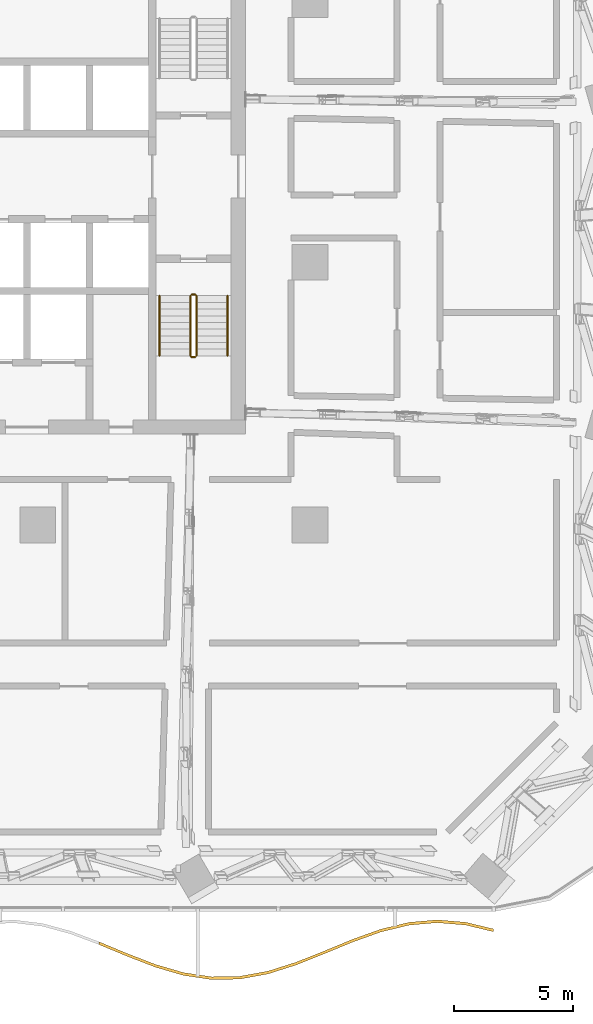
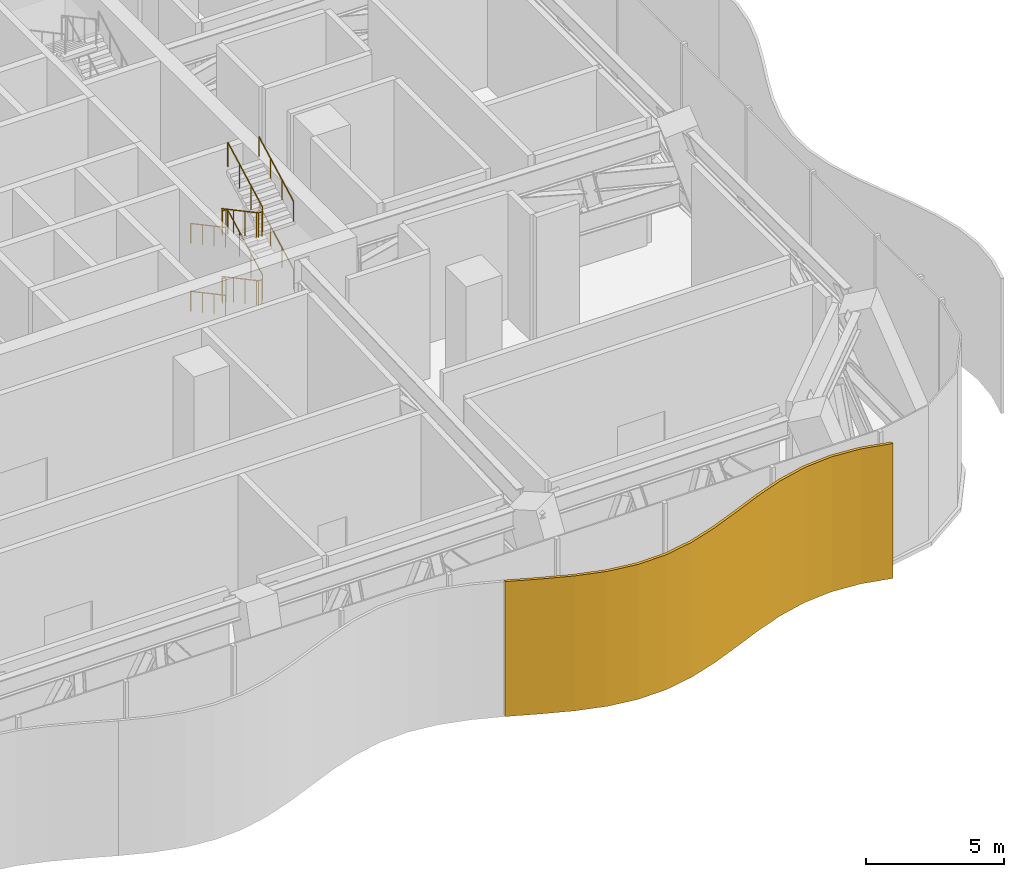
# One storey, part 28 of 32: 9 railings, 1 shading device.
"""IFC4 building model written with IfcOpenShell, lengths in metres."""

from ifc_helpers import new_model, si_unit, direction, frame, origin, origin_2d, place, context, subcontext, project, spatial, polyline, circle, outline, extrude, material, layer, layer_set, type_object, element, save


model = new_model("IFC4")

# Units and contexts
model_context = context("Model", 3, precision=1e-05, world=origin(), true_north=direction((0.0, 1.0)))
body_context = subcontext(model_context, "Body", "Model", "MODEL_VIEW")
ifc_project = project(units=[si_unit("LENGTHUNIT", "METRE"), si_unit("AREAUNIT", "SQUARE_METRE"), si_unit("VOLUMEUNIT", "CUBIC_METRE"), si_unit("PLANEANGLEUNIT", "RADIAN"), si_unit("MASSUNIT", "GRAM", prefix="KILO")], contexts=[model_context])

# Site, building, storey
site_placement = place(None, origin())
site = spatial("IfcSite", under=ifc_project, at=site_placement, CompositionType="ELEMENT")
building_placement = place(site_placement, origin())
building = spatial("IfcBuilding", under=site, at=building_placement, Name="Mopane Tessera Tower", CompositionType="ELEMENT")
storey_placement = place(building_placement, frame((0.0, 0.0, 88.60009765625)))
storey = spatial("IfcBuildingStorey", under=building, at=storey_placement, Name="L17", CompositionType="ELEMENT", Elevation=88.60009765625)

# Railings
ifc_material_1 = material(Name="Powder-coated steel balustrade", Category="steel")
railing_type_1 = type_object("IfcRailingType", Name="Escape stair guard 1100 mm", PredefinedType="GUARDRAIL", material=ifc_material_1)
railing_1_placement = place(storey_placement, frame((12.10009765625, -1.39990234375, 0.14990234375)))
element("IfcRailing", 1, at=railing_1_placement, inside=storey, type_object=railing_type_1, Name="L17 ST3 stair guard 1", PredefinedType="GUARDRAIL", context=body_context, shape_type="SweptSolid", body=[
    extrude(circle(Radius=0.02392578125, at=origin_2d()), frame((0.0, 0.0, 1.076171875), z_axis=(0.0, -0.881467274426, 0.472245110209), x_axis=(1.0, 0.0, 0.0)), (0.0, 0.0, 1.0), 2.85888671875),
    extrude(circle(Radius=0.02392578125, at=origin_2d()), frame((0.0, -2.52001953125, 2.42626953125), z_axis=(0.705375805398, -0.708833529934, 0.0), x_axis=(0.708833529934, 0.705375805398, 0.0)), (0.0, 0.0, 1.0), 0.070556640625),
    extrude(circle(Radius=0.02392578125, at=origin_2d()), frame((0.0498046875, -2.570068359375, 2.42626953125), z_axis=(1.0, 0.0, 0.0), x_axis=(0.0, 1.0, 0.0)), (0.0, 0.0, 1.0), 0.150146484375),
    extrude(circle(Radius=0.02099609375, at=origin_2d()), origin(), (0.0, 0.0, 1.0), 1.052001953125),
    extrude(circle(Radius=0.02099609375, at=origin_2d()), frame((0.0, -0.840087890625, 0.449951171875)), (0.0, 0.0, 1.0), 1.052001953125),
    extrude(circle(Radius=0.02099609375, at=origin_2d()), frame((0.0, -1.679931640625, 0.900146484375)), (0.0, 0.0, 1.0), 1.052001953125),
    extrude(circle(Radius=0.02099609375, at=origin_2d()), frame((0.0, -2.52001953125, 1.35009765625)), (0.0, 0.0, 1.0), 1.052001953125),
    extrude(circle(Radius=0.02099609375, at=origin_2d()), frame((0.0498046875, -2.570068359375, 1.35009765625)), (0.0, 0.0, 1.0), 1.052001953125),
    extrude(circle(Radius=0.02099609375, at=origin_2d()), frame((0.199951171875, -2.570068359375, 1.35009765625)), (0.0, 0.0, 1.0), 1.052001953125),
])
railing_2_placement = place(storey_placement, frame((12.35009765625, -3.919921875, 1.64990234375)))
element("IfcRailing", 2, at=railing_2_placement, inside=storey, type_object=railing_type_1, Name="L17 ST3 stair guard 2", PredefinedType="GUARDRAIL", context=body_context, shape_type="SweptSolid", body=[
    extrude(circle(Radius=0.02392578125, at=origin_2d()), frame((0.0, 0.0, 1.076171875), z_axis=(0.0, 0.881467274426, 0.472245110209), x_axis=(-1.0, 0.0, 0.0)), (0.0, 0.0, 1.0), 2.85888671875),
    extrude(circle(Radius=0.02392578125, at=origin_2d()), frame((0.0, 2.52001953125, 2.42626953125), z_axis=(-0.708833529934, 0.705375805398, 0.0), x_axis=(-0.705375805398, -0.708833529934, 0.0)), (0.0, 0.0, 1.0), 0.070556640625),
    extrude(circle(Radius=0.02392578125, at=origin_2d()), frame((-0.050048828125, 2.56982421875, 2.42626953125), z_axis=(-1.0, 0.0, 0.0), x_axis=(0.0, -1.0, 0.0)), (0.0, 0.0, 1.0), 0.150146484375),
    extrude(circle(Radius=0.02099609375, at=origin_2d()), origin(), (0.0, 0.0, 1.0), 1.052001953125),
    extrude(circle(Radius=0.02099609375, at=origin_2d()), frame((0.0, 0.840087890625, 0.449951171875)), (0.0, 0.0, 1.0), 1.052001953125),
    extrude(circle(Radius=0.02099609375, at=origin_2d()), frame((0.0, 1.679931640625, 0.900146484375)), (0.0, 0.0, 1.0), 1.052001953125),
    extrude(circle(Radius=0.02099609375, at=origin_2d()), frame((0.0, 2.52001953125, 1.35009765625)), (0.0, 0.0, 1.0), 1.052001953125),
    extrude(circle(Radius=0.02099609375, at=origin_2d()), frame((-0.050048828125, 2.56982421875, 1.35009765625)), (0.0, 0.0, 1.0), 1.052001953125),
    extrude(circle(Radius=0.02099609375, at=origin_2d()), frame((-0.2001953125, 2.56982421875, 1.35009765625)), (0.0, 0.0, 1.0), 1.052001953125),
])
railing_3_placement = place(storey_placement, frame((12.10009765625, -1.39990234375, 3.14990234375)))
element("IfcRailing", 3, at=railing_3_placement, inside=storey, type_object=railing_type_1, Name="L17 ST3 stair guard 3", PredefinedType="GUARDRAIL", context=body_context, shape_type="SweptSolid", body=[
    extrude(circle(Radius=0.02392578125, at=origin_2d()), frame((0.0, 0.0, 1.076171875), z_axis=(0.0, -0.881467274426, 0.472245110209), x_axis=(1.0, 0.0, 0.0)), (0.0, 0.0, 1.0), 2.85888671875),
    extrude(circle(Radius=0.02392578125, at=origin_2d()), frame((0.0, -2.52001953125, 2.42626953125), z_axis=(0.705375805398, -0.708833529934, 0.0), x_axis=(0.708833529934, 0.705375805398, 0.0)), (0.0, 0.0, 1.0), 0.070556640625),
    extrude(circle(Radius=0.02392578125, at=origin_2d()), frame((0.0498046875, -2.570068359375, 2.42626953125), z_axis=(1.0, 0.0, 0.0), x_axis=(0.0, 1.0, 0.0)), (0.0, 0.0, 1.0), 0.150146484375),
    extrude(circle(Radius=0.02099609375, at=origin_2d()), origin(), (0.0, 0.0, 1.0), 1.052001953125),
    extrude(circle(Radius=0.02099609375, at=origin_2d()), frame((0.0, -0.840087890625, 0.449951171875)), (0.0, 0.0, 1.0), 1.052001953125),
    extrude(circle(Radius=0.02099609375, at=origin_2d()), frame((0.0, -1.679931640625, 0.900146484375)), (0.0, 0.0, 1.0), 1.052001953125),
    extrude(circle(Radius=0.02099609375, at=origin_2d()), frame((0.0, -2.52001953125, 1.35009765625)), (0.0, 0.0, 1.0), 1.052001953125),
    extrude(circle(Radius=0.02099609375, at=origin_2d()), frame((0.0498046875, -2.570068359375, 1.35009765625)), (0.0, 0.0, 1.0), 1.052001953125),
    extrude(circle(Radius=0.02099609375, at=origin_2d()), frame((0.199951171875, -2.570068359375, 1.35009765625)), (0.0, 0.0, 1.0), 1.052001953125),
])
railing_4_placement = place(storey_placement, frame((12.35009765625, -3.919921875, 4.64990234375)))
element("IfcRailing", 4, at=railing_4_placement, inside=storey, type_object=railing_type_1, Name="L17 ST3 stair guard 4", PredefinedType="GUARDRAIL", context=body_context, shape_type="SweptSolid", body=[
    extrude(circle(Radius=0.02392578125, at=origin_2d()), frame((0.0, 0.0, 1.076171875), z_axis=(0.0, 0.881467274426, 0.472245110209), x_axis=(-1.0, 0.0, 0.0)), (0.0, 0.0, 1.0), 2.85888671875),
    extrude(circle(Radius=0.02099609375, at=origin_2d()), origin(), (0.0, 0.0, 1.0), 1.052001953125),
    extrude(circle(Radius=0.02099609375, at=origin_2d()), frame((0.0, 0.840087890625, 0.449951171875)), (0.0, 0.0, 1.0), 1.052001953125),
    extrude(circle(Radius=0.02099609375, at=origin_2d()), frame((0.0, 1.679931640625, 0.900146484375)), (0.0, 0.0, 1.0), 1.052001953125),
    extrude(circle(Radius=0.02099609375, at=origin_2d()), frame((0.0, 2.52001953125, 1.35009765625)), (0.0, 0.0, 1.0), 1.052001953125),
])
railing_5_placement = place(storey_placement, frame((12.14990234375, -1.35009765625, 0.0)))
element("IfcRailing", 5, at=railing_5_placement, inside=storey, type_object=railing_type_1, Name="L17 ST3 stair guard 5", PredefinedType="GUARDRAIL", context=body_context, shape_type="SweptSolid", body=[
    extrude(circle(Radius=0.02392578125, at=origin_2d()), frame((0.0, 0.0, 1.076171875), z_axis=(1.0, 0.0, 0.0), x_axis=(0.0, 1.0, 0.0)), (0.0, 0.0, 1.0), 0.150146484375),
    extrude(circle(Radius=0.02099609375, at=origin_2d()), origin(), (0.0, 0.0, 1.0), 1.052001953125),
    extrude(circle(Radius=0.02099609375, at=origin_2d()), frame((0.150146484375, 0.0, 0.0)), (0.0, 0.0, 1.0), 1.052001953125),
])
ifc_material_2 = material(Name="Powder-coated steel balustrade", Category="steel")
railing_type_2 = type_object("IfcRailingType", Name="Escape stair handrail 900 mm", PredefinedType="HANDRAIL", material=ifc_material_2)
railing_6_placement = place(storey_placement, frame((10.800048828125, -1.39990234375, 0.14990234375)))
element("IfcRailing", 6, at=railing_6_placement, inside=storey, type_object=railing_type_2, Name="L17 ST3 stair handrail 1", PredefinedType="HANDRAIL", context=body_context, shape_type="SweptSolid", body=[
    extrude(circle(Radius=0.02392578125, at=origin_2d()), frame((0.0, 0.0, 0.8759765625), z_axis=(0.0, -0.881467274426, 0.472245110209), x_axis=(1.0, 0.0, 0.0)), (0.0, 0.0, 1.0), 2.85888671875),
    extrude(circle(Radius=0.02099609375, at=origin_2d()), origin(), (0.0, 0.0, 1.0), 0.851806640625),
    extrude(circle(Radius=0.02099609375, at=origin_2d()), frame((0.0, -0.840087890625, 0.449951171875)), (0.0, 0.0, 1.0), 0.851806640625),
    extrude(circle(Radius=0.02099609375, at=origin_2d()), frame((0.0, -1.679931640625, 0.900146484375)), (0.0, 0.0, 1.0), 0.851806640625),
    extrude(circle(Radius=0.02099609375, at=origin_2d()), frame((0.0, -2.52001953125, 1.35009765625)), (0.0, 0.0, 1.0), 0.851806640625),
])
railing_7_placement = place(storey_placement, frame((13.64990234375, -3.919921875, 1.64990234375)))
element("IfcRailing", 7, at=railing_7_placement, inside=storey, type_object=railing_type_2, Name="L17 ST3 stair handrail 2", PredefinedType="HANDRAIL", context=body_context, shape_type="SweptSolid", body=[
    extrude(circle(Radius=0.02392578125, at=origin_2d()), frame((0.0, 0.0, 0.8759765625), z_axis=(0.0, 0.881467274426, 0.472245110209), x_axis=(-1.0, 0.0, 0.0)), (0.0, 0.0, 1.0), 2.85888671875),
    extrude(circle(Radius=0.02099609375, at=origin_2d()), origin(), (0.0, 0.0, 1.0), 0.851806640625),
    extrude(circle(Radius=0.02099609375, at=origin_2d()), frame((0.0, 0.840087890625, 0.449951171875)), (0.0, 0.0, 1.0), 0.851806640625),
    extrude(circle(Radius=0.02099609375, at=origin_2d()), frame((0.0, 1.679931640625, 0.900146484375)), (0.0, 0.0, 1.0), 0.851806640625),
    extrude(circle(Radius=0.02099609375, at=origin_2d()), frame((0.0, 2.52001953125, 1.35009765625)), (0.0, 0.0, 1.0), 0.851806640625),
])
railing_8_placement = place(storey_placement, frame((10.800048828125, -1.39990234375, 3.14990234375)))
element("IfcRailing", 8, at=railing_8_placement, inside=storey, type_object=railing_type_2, Name="L17 ST3 stair handrail 3", PredefinedType="HANDRAIL", context=body_context, shape_type="SweptSolid", body=[
    extrude(circle(Radius=0.02392578125, at=origin_2d()), frame((0.0, 0.0, 0.8759765625), z_axis=(0.0, -0.881467274426, 0.472245110209), x_axis=(1.0, 0.0, 0.0)), (0.0, 0.0, 1.0), 2.85888671875),
    extrude(circle(Radius=0.02099609375, at=origin_2d()), origin(), (0.0, 0.0, 1.0), 0.851806640625),
    extrude(circle(Radius=0.02099609375, at=origin_2d()), frame((0.0, -0.840087890625, 0.449951171875)), (0.0, 0.0, 1.0), 0.851806640625),
    extrude(circle(Radius=0.02099609375, at=origin_2d()), frame((0.0, -1.679931640625, 0.900146484375)), (0.0, 0.0, 1.0), 0.851806640625),
    extrude(circle(Radius=0.02099609375, at=origin_2d()), frame((0.0, -2.52001953125, 1.35009765625)), (0.0, 0.0, 1.0), 0.851806640625),
])
railing_9_placement = place(storey_placement, frame((13.64990234375, -3.919921875, 4.64990234375)))
element("IfcRailing", 9, at=railing_9_placement, inside=storey, type_object=railing_type_2, Name="L17 ST3 stair handrail 4", PredefinedType="HANDRAIL", context=body_context, shape_type="SweptSolid", body=[
    extrude(circle(Radius=0.02392578125, at=origin_2d()), frame((0.0, 0.0, 0.8759765625), z_axis=(0.0, 0.881467274426, 0.472245110209), x_axis=(-1.0, 0.0, 0.0)), (0.0, 0.0, 1.0), 2.85888671875),
    extrude(circle(Radius=0.02099609375, at=origin_2d()), origin(), (0.0, 0.0, 1.0), 0.851806640625),
    extrude(circle(Radius=0.02099609375, at=origin_2d()), frame((0.0, 0.840087890625, 0.449951171875)), (0.0, 0.0, 1.0), 0.851806640625),
    extrude(circle(Radius=0.02099609375, at=origin_2d()), frame((0.0, 1.679931640625, 0.900146484375)), (0.0, 0.0, 1.0), 0.851806640625),
    extrude(circle(Radius=0.02099609375, at=origin_2d()), frame((0.0, 2.52001953125, 1.35009765625)), (0.0, 0.0, 1.0), 0.851806640625),
])

# Shading device
ifc_material_3 = material(Name="Anodised aluminium louvre blades", Category="aluminium")
ifc_layer = layer(ifc_material_3, 0.1201171875)
ifc_layer_set = layer_set([ifc_layer], Name="Anodised aluminium louvre blades")
shading_device_type = type_object("IfcShadingDeviceType", Name="Wave louvre screen", PredefinedType="JALOUSIE", material=ifc_layer_set)
shading_device_placement = place(storey_placement, frame((0.0, 0.0, -0.420166015625)))
element("IfcShadingDevice", 10, at=shading_device_placement, inside=storey, type_object=shading_device_type, Name="e:lv:L17:S:2", PredefinedType="JALOUSIE", context=body_context, shape_type="SweptSolid", body=[
    extrude(outline(polyline([(8.2666015625, -28.45654296875), (9.447509765625, -28.947509765625), (10.628662109375, -29.403564453125), (11.8095703125, -29.74853515625), (12.990478515625, -29.924560546875), (14.17138671875, -29.902099609375), (15.352294921875, -29.68505859375), (16.533447265625, -29.3095703125), (17.71435546875, -28.838623046875), (18.895263671875, -28.351318359375), (20.076171875, -27.928955078125), (21.257080078125, -27.642578125), (22.43798828125, -27.5400390625), (23.619140625, -27.638427734375), (24.800048828125, -27.921630859375), (24.800048828125, -28.04150390625), (23.619140625, -27.758544921875), (22.43798828125, -27.659912109375), (21.257080078125, -27.762451171875), (20.076171875, -28.048828125), (18.895263671875, -28.47119140625), (17.71435546875, -28.958740234375), (16.533447265625, -29.429443359375), (15.352294921875, -29.804931640625), (14.17138671875, -30.022216796875), (12.990478515625, -30.044677734375), (11.8095703125, -29.86865234375), (10.628662109375, -29.523681640625), (9.447509765625, -29.0673828125), (8.2666015625, -28.576416015625), (8.2666015625, -28.45654296875)])), origin(), (0.0, 0.0, 1.0), 5.969970703125),
])

save(model, "model.ifc")
